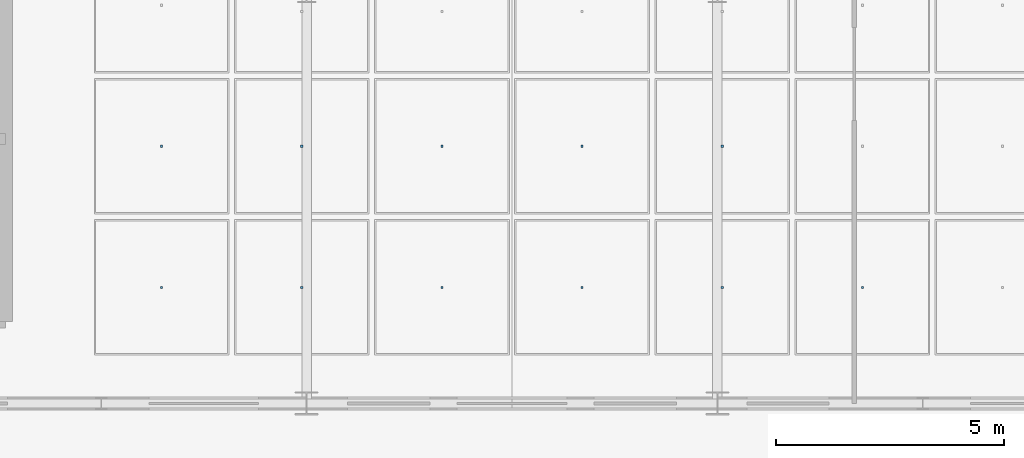
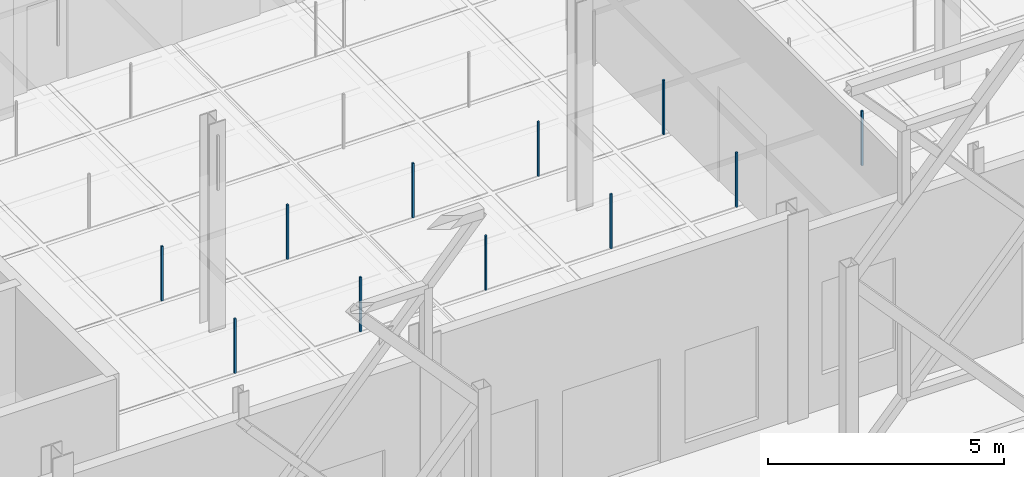
# One storey, part 107 of 180: 11 discrete accessories.
"""IFC4 building model written with IfcOpenShell, lengths in metres."""

from ifc_helpers import new_model, si_unit, direction, frame, origin, origin_2d, place, context, subcontext, project, spatial, rectangle, extrude, material, type_object, element, save


model = new_model("IFC4")

# Units and contexts
model_context = context("Model", 3, precision=1e-05, world=origin(), true_north=direction((0.0, 1.0)))
body_context = subcontext(model_context, "Body", "Model", "MODEL_VIEW")
ifc_project = project(units=[si_unit("LENGTHUNIT", "METRE"), si_unit("AREAUNIT", "SQUARE_METRE"), si_unit("VOLUMEUNIT", "CUBIC_METRE"), si_unit("PLANEANGLEUNIT", "RADIAN"), si_unit("MASSUNIT", "GRAM", prefix="KILO"), si_unit("THERMODYNAMICTEMPERATUREUNIT", "KELVIN"), si_unit("POWERUNIT", "WATT")], contexts=[model_context])

# Site, building, storey
site_placement = place(None, origin())
site = spatial("IfcSite", under=ifc_project, at=site_placement, CompositionType="ELEMENT")
building_placement = place(site_placement, origin())
building = spatial("IfcBuilding", under=site, at=building_placement, Name="Tallowbark Science Centre", CompositionType="ELEMENT")
storey_placement = place(building_placement, origin())
storey = spatial("IfcBuildingStorey", under=building, at=storey_placement, Name="L00", CompositionType="ELEMENT", Elevation=0.0)

# Discrete accessories
ifc_material = material(Name="Galvanised Steel Grade C350L0 (350 MPa)", Category="steel")
discrete_accessory_type = type_object("IfcDiscreteAccessoryType", Name="ACC-CLG-HNG", PredefinedType="BRACKET", material=ifc_material)
for number, where, z_axis, x_axis, name in (
    (1, (73.3212890625, 7.04541015625, 3.8095703125), (0.0, 0.0, 1.0), (1.0, 0.0, 0.0), "Ceiling Hanger Bracket L00-107"),
    (2, (73.3212890625, 10.136474609375, 3.8095703125), (0.0, 0.0, 1.0), (1.0, 0.0, 0.0), "Ceiling Hanger Bracket L00-108"),
    (3, (76.392822265625, 7.04541015625, 3.8095703125), (0.0, 0.0, 1.0), (1.0, 0.0, 0.0), "Ceiling Hanger Bracket L00-118"),
    (4, (76.392822265625, 10.136474609375, 3.8095703125), (0.0, 0.0, 1.0), (1.0, 0.0, 0.0), "Ceiling Hanger Bracket L00-119"),
    (5, (79.46435546875, 7.04541015625, 3.8095703125), (0.0, 0.0, 1.0), (1.0, 0.0, 0.0), "Ceiling Hanger Bracket L00-129"),
    (6, (79.46435546875, 10.136474609375, 3.8095703125), (0.0, 0.0, 1.0), (1.0, 0.0, 0.0), "Ceiling Hanger Bracket L00-130"),
    (7, (82.53564453125, 7.04541015625, 3.8095703125), (0.0, 0.0, 1.0), (1.0, 0.0, 0.0), "Ceiling Hanger Bracket L00-140"),
    (8, (82.53564453125, 10.136474609375, 3.8095703125), (0.0, 0.0, 1.0), (1.0, 0.0, 0.0), "Ceiling Hanger Bracket L00-141"),
    (9, (85.607177734375, 7.04541015625, 3.8095703125), (0.0, 0.0, 1.0), (1.0, 0.0, 0.0), "Ceiling Hanger Bracket L00-151"),
    (10, (85.607177734375, 10.136474609375, 3.8095703125), (0.0, 0.0, 1.0), (1.0, 0.0, 0.0), "Ceiling Hanger Bracket L00-152"),
    (11, (88.6787109375, 7.04541015625, 3.8095703125), (0.0, 0.0, 1.0), (1.0, 0.0, 0.0), "Ceiling Hanger Bracket L00-162"),
):
    element("IfcDiscreteAccessory", number, at=place(storey_placement, frame(where, z_axis=z_axis, x_axis=x_axis)), inside=storey, type_object=discrete_accessory_type, Name=name, PredefinedType="BRACKET", context=body_context, shape_type="SweptSolid", body=[
        extrude(rectangle(XDim=0.044921875, YDim=0.044921875, at=origin_2d()), origin(), (0.0, 0.0, 1.0), 1.41357421875),
    ])

save(model, "model.ifc")
